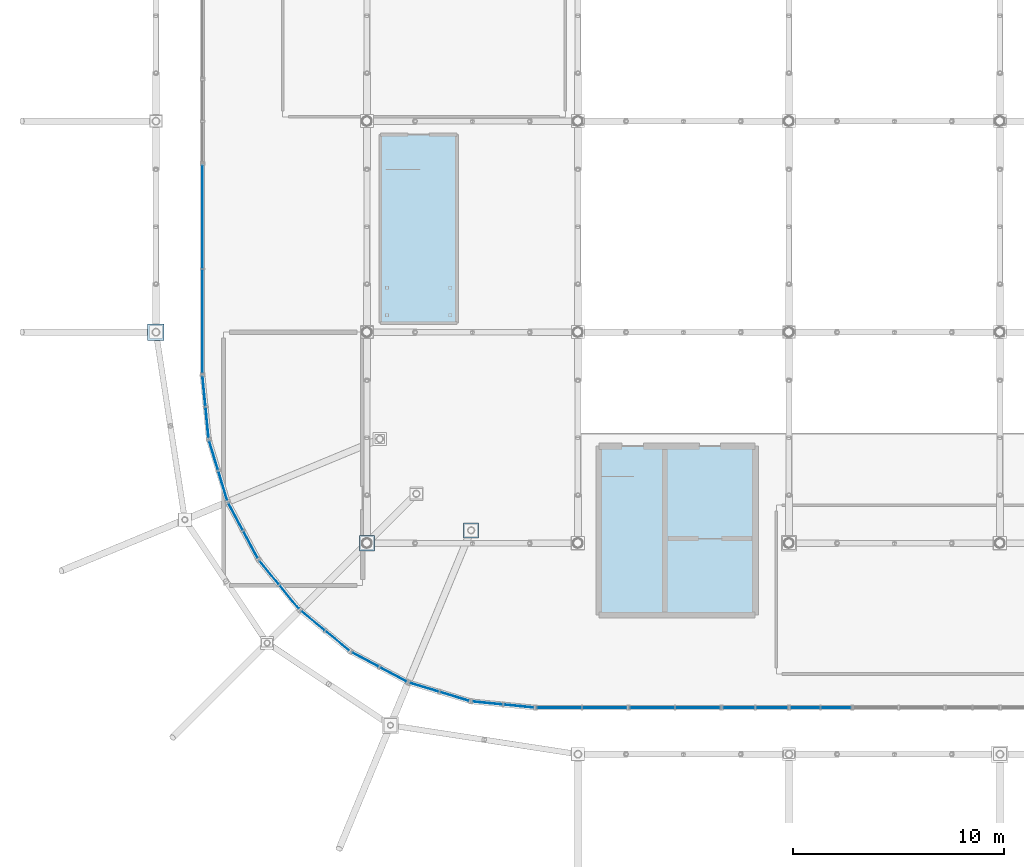
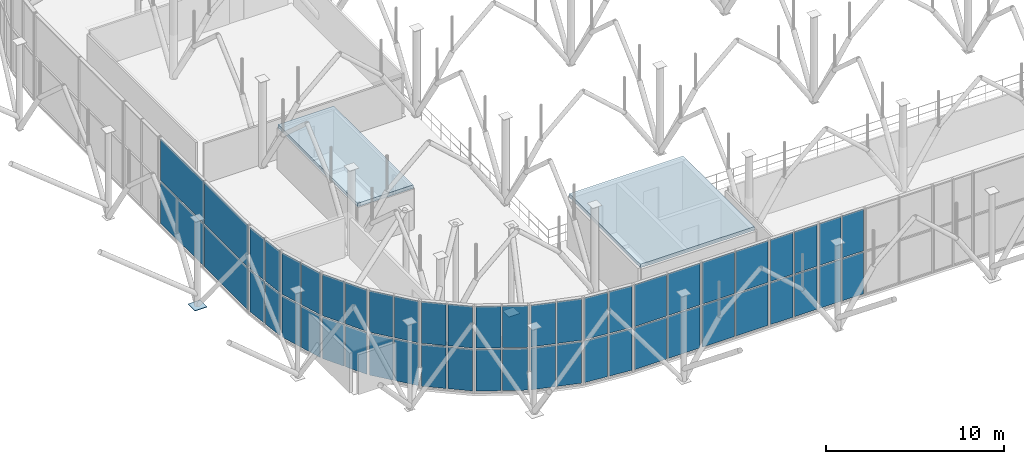
# One storey, part 86 of 109: 55 plates, 2 slabs, 13 elements without a shape of their own.
"""IFC4 building model written with IfcOpenShell, lengths in metres."""

from ifc_helpers import new_model, si_unit, derived_unit, direction, frame, origin, origin_2d_with_axis, place, context, subcontext, project, spatial, polyline, rectangle, outline, extrude, material, layer, layer_set, type_object, element, aggregate, save


model = new_model("IFC4")

# Units and contexts
model_context = context("Model", 3, precision=1e-05, world=origin(), true_north=direction((0.0, 1.0)))
body_context = subcontext(model_context, "Body", "Model", "MODEL_VIEW")
ifc_project = project(units=[si_unit("LENGTHUNIT", "METRE"), si_unit("AREAUNIT", "SQUARE_METRE"), si_unit("VOLUMEUNIT", "CUBIC_METRE"), si_unit("PLANEANGLEUNIT", "RADIAN"), si_unit("MASSUNIT", "GRAM", prefix="KILO"), derived_unit("THERMALTRANSMITTANCEUNIT", [(si_unit("POWERUNIT", "WATT"), 1), (si_unit("LENGTHUNIT", "METRE"), -2), (si_unit("THERMODYNAMICTEMPERATUREUNIT", "KELVIN"), -1)])], contexts=[model_context])

# Site, building, storey
site_placement = place(None, origin())
site = spatial("IfcSite", under=ifc_project, at=site_placement, CompositionType="ELEMENT")
building_placement = place(site_placement, origin())
building = spatial("IfcBuilding", under=site, at=building_placement, Name="Cinnabar Yard Market Hall", CompositionType="ELEMENT")
storey_placement = place(building_placement, frame((0.0, 0.0, 8.39990234375)))
storey = spatial("IfcBuildingStorey", under=building, at=storey_placement, Name="L02", CompositionType="ELEMENT", Elevation=8.39990234375)

# Curtain wall, plates
ifc_material_1 = material(Name="Anodised bronze aluminium and low-E glass", Category="aluminium")
curtain_wall_type_1 = type_object("IfcCurtainWallType", Name="CW-CWH030x60", PredefinedType="NOTDEFINED", material=ifc_material_1)
curtain_wall_1_placement = place(storey_placement, origin())
curtain_wall_1 = element("IfcCurtainWall", 1, at=curtain_wall_1_placement, inside=storey, type_object=curtain_wall_type_1, Name="Market Hall South Upper Clerestory B2A", PredefinedType="NOTDEFINED")
ifc_material_2 = material(Name="Low-E laminated glass", Category="glass")
ifc_layer_1 = layer(ifc_material_2, 0.031982421875)
ifc_layer_set_1 = layer_set([ifc_layer_1], Name="Low-E laminated glass")
plate_type_1 = type_object("IfcPlateType", Name="CWP-GP138x287", PredefinedType="CURTAIN_PANEL", material=ifc_layer_set_1)
plate_1_placement = place(storey_placement, frame((96.77001953125, 16.199951171875, 0.080078125), z_axis=(0.0, 0.0, 1.0), x_axis=(1.0, 0.0, 0.0)))
plate_1 = element("IfcPlate", 2, at=plate_1_placement, type_object=plate_type_1, Name="CWH030x60 panel 1.1", PredefinedType="CURTAIN_PANEL", context=body_context, shape_type="SweptSolid", body=[
    extrude(rectangle(XDim=1.3798828125, YDim=0.031982421875, at=origin_2d_with_axis()), origin(), (0.0, 0.0, 1.0), 2.8701171875),
])
plate_2_placement = place(storey_placement, frame((96.77001953125, 16.199951171875, 3.030029296875), z_axis=(0.0, 0.0, 1.0), x_axis=(1.0, 0.0, 0.0)))
plate_2 = element("IfcPlate", 3, at=plate_2_placement, type_object=plate_type_1, Name="CWH030x60 panel 1.2", PredefinedType="CURTAIN_PANEL", context=body_context, shape_type="SweptSolid", body=[
    extrude(rectangle(XDim=1.3798828125, YDim=0.031982421875, at=origin_2d_with_axis()), origin(), (0.0, 0.0, 1.0), 2.8701171875),
])
plate_3_placement = place(storey_placement, frame((98.22998046875, 16.199951171875, 0.080078125), z_axis=(0.0, 0.0, 1.0), x_axis=(1.0, 0.0, 0.0)))
plate_3 = element("IfcPlate", 4, at=plate_3_placement, type_object=plate_type_1, Name="CWH030x60 panel 2.1", PredefinedType="CURTAIN_PANEL", context=body_context, shape_type="SweptSolid", body=[
    extrude(rectangle(XDim=1.3798828125, YDim=0.031982421875, at=origin_2d_with_axis()), origin(), (0.0, 0.0, 1.0), 2.8701171875),
])
plate_4_placement = place(storey_placement, frame((98.22998046875, 16.199951171875, 3.030029296875), z_axis=(0.0, 0.0, 1.0), x_axis=(1.0, 0.0, 0.0)))
plate_4 = element("IfcPlate", 5, at=plate_4_placement, type_object=plate_type_1, Name="CWH030x60 panel 2.2", PredefinedType="CURTAIN_PANEL", context=body_context, shape_type="SweptSolid", body=[
    extrude(rectangle(XDim=1.3798828125, YDim=0.031982421875, at=origin_2d_with_axis()), origin(), (0.0, 0.0, 1.0), 2.8701171875),
])
aggregate(curtain_wall_1, [plate_1, plate_2, plate_3, plate_4])

ifc_material_3 = material(Name="Anodised bronze aluminium curved-chord facade", Category="aluminium")
curtain_wall_type_2 = type_object("IfcCurtainWallType", Name="CW-CWC031x60", PredefinedType="NOTDEFINED", material=ifc_material_3)
curtain_wall_2_placement = place(storey_placement, origin())
curtain_wall_2 = element("IfcCurtainWall", 6, at=curtain_wall_2_placement, inside=storey, type_object=curtain_wall_type_2, Name="Corner SW Chord 1 L02", PredefinedType="NOTDEFINED")
ifc_layer_2 = layer(ifc_material_2, 0.031982421875)
ifc_layer_set_2 = layer_set([ifc_layer_2], Name="Low-E laminated glass")
plate_type_2 = type_object("IfcPlateType", Name="CWP-GP141x286", PredefinedType="CURTAIN_PANEL", material=ifc_layer_set_2)
plate_5_placement = place(storey_placement, frame((68.278076171875, 31.20703125, 0.090087890625), z_axis=(0.0, 0.0, 1.0), x_axis=(0.098020369342, -0.995184408637, 0.0)))
plate_5 = element("IfcPlate", 7, at=plate_5_placement, type_object=plate_type_2, Name="CWC031x60 panel 1.1", PredefinedType="CURTAIN_PANEL", context=body_context, shape_type="SweptSolid", body=[
    extrude(rectangle(XDim=1.41357421875, YDim=0.031982421875, at=origin_2d_with_axis()), origin(), (0.0, 0.0, 1.0), 2.85498046875),
])
plate_6_placement = place(storey_placement, frame((68.278076171875, 31.20703125, 3.03515625), z_axis=(0.0, 0.0, 1.0), x_axis=(0.098020369342, -0.995184408637, 0.0)))
plate_6 = element("IfcPlate", 8, at=plate_6_placement, type_object=plate_type_2, Name="CWC031x60 panel 1.2", PredefinedType="CURTAIN_PANEL", context=body_context, shape_type="SweptSolid", body=[
    extrude(rectangle(XDim=1.41357421875, YDim=0.031982421875, at=origin_2d_with_axis()), origin(), (0.0, 0.0, 1.0), 2.85498046875),
])
plate_7_placement = place(storey_placement, frame((68.425537109375, 29.710693359375, 0.090087890625), z_axis=(0.0, 0.0, 1.0), x_axis=(0.098020369342, -0.995184408637, 0.0)))
plate_7 = element("IfcPlate", 9, at=plate_7_placement, type_object=plate_type_2, Name="CWC031x60 panel 2.1", PredefinedType="CURTAIN_PANEL", context=body_context, shape_type="SweptSolid", body=[
    extrude(rectangle(XDim=1.41357421875, YDim=0.031982421875, at=origin_2d_with_axis()), origin(), (0.0, 0.0, 1.0), 2.85498046875),
])
plate_8_placement = place(storey_placement, frame((68.425537109375, 29.710693359375, 3.03515625), z_axis=(0.0, 0.0, 1.0), x_axis=(0.098020369342, -0.995184408637, 0.0)))
plate_8 = element("IfcPlate", 10, at=plate_8_placement, type_object=plate_type_2, Name="CWC031x60 panel 2.2", PredefinedType="CURTAIN_PANEL", context=body_context, shape_type="SweptSolid", body=[
    extrude(rectangle(XDim=1.41357421875, YDim=0.031982421875, at=origin_2d_with_axis()), origin(), (0.0, 0.0, 1.0), 2.85498046875),
])
aggregate(curtain_wall_2, [plate_5, plate_6, plate_7, plate_8])

curtain_wall_3_placement = place(storey_placement, origin())
curtain_wall_3 = element("IfcCurtainWall", 11, at=curtain_wall_3_placement, inside=storey, type_object=curtain_wall_type_2, Name="Corner SW Chord 2 L02", PredefinedType="NOTDEFINED")
plate_9_placement = place(storey_placement, frame((68.73486328125, 28.155029296875, 0.090087890625), z_axis=(0.0, 0.0, 1.0), x_axis=(0.290278891325, -0.956942090856, 0.0)))
plate_9 = element("IfcPlate", 12, at=plate_9_placement, type_object=plate_type_2, Name="CWC031x60 panel 1.1", PredefinedType="CURTAIN_PANEL", context=body_context, shape_type="SweptSolid", body=[
    extrude(rectangle(XDim=1.41357421875, YDim=0.031982421875, at=origin_2d_with_axis()), origin(), (0.0, 0.0, 1.0), 2.85498046875),
])
plate_10_placement = place(storey_placement, frame((68.73486328125, 28.155029296875, 3.03515625), z_axis=(0.0, 0.0, 1.0), x_axis=(0.290278891325, -0.956942090856, 0.0)))
plate_10 = element("IfcPlate", 13, at=plate_10_placement, type_object=plate_type_2, Name="CWC031x60 panel 1.2", PredefinedType="CURTAIN_PANEL", context=body_context, shape_type="SweptSolid", body=[
    extrude(rectangle(XDim=1.41357421875, YDim=0.031982421875, at=origin_2d_with_axis()), origin(), (0.0, 0.0, 1.0), 2.85498046875),
])
plate_11_placement = place(storey_placement, frame((69.17138671875, 26.716064453125, 0.090087890625), z_axis=(0.0, 0.0, 1.0), x_axis=(0.290278891325, -0.956942090856, 0.0)))
plate_11 = element("IfcPlate", 14, at=plate_11_placement, type_object=plate_type_2, Name="CWC031x60 panel 2.1", PredefinedType="CURTAIN_PANEL", context=body_context, shape_type="SweptSolid", body=[
    extrude(rectangle(XDim=1.41357421875, YDim=0.031982421875, at=origin_2d_with_axis()), origin(), (0.0, 0.0, 1.0), 2.85498046875),
])
plate_12_placement = place(storey_placement, frame((69.17138671875, 26.716064453125, 3.03515625), z_axis=(0.0, 0.0, 1.0), x_axis=(0.290278891325, -0.956942090856, 0.0)))
plate_12 = element("IfcPlate", 15, at=plate_12_placement, type_object=plate_type_2, Name="CWC031x60 panel 2.2", PredefinedType="CURTAIN_PANEL", context=body_context, shape_type="SweptSolid", body=[
    extrude(rectangle(XDim=1.41357421875, YDim=0.031982421875, at=origin_2d_with_axis()), origin(), (0.0, 0.0, 1.0), 2.85498046875),
])
aggregate(curtain_wall_3, [plate_9, plate_10, plate_11, plate_12])

curtain_wall_4_placement = place(storey_placement, origin())
curtain_wall_4 = element("IfcCurtainWall", 16, at=curtain_wall_4_placement, inside=storey, type_object=curtain_wall_type_2, Name="Corner SW Chord 3 L02", PredefinedType="NOTDEFINED")
plate_13_placement = place(storey_placement, frame((69.7783203125, 25.2509765625, 0.090087890625), z_axis=(0.0, 0.0, 1.0), x_axis=(0.471404114786, -0.881917320707, 0.0)))
plate_13 = element("IfcPlate", 17, at=plate_13_placement, type_object=plate_type_2, Name="CWC031x60 panel 1.1", PredefinedType="CURTAIN_PANEL", context=body_context, shape_type="SweptSolid", body=[
    extrude(rectangle(XDim=1.41357421875, YDim=0.031982421875, at=origin_2d_with_axis()), origin(), (0.0, 0.0, 1.0), 2.85498046875),
])
plate_14_placement = place(storey_placement, frame((69.7783203125, 25.2509765625, 3.03515625), z_axis=(0.0, 0.0, 1.0), x_axis=(0.471404114786, -0.881917320707, 0.0)))
plate_14 = element("IfcPlate", 18, at=plate_14_placement, type_object=plate_type_2, Name="CWC031x60 panel 1.2", PredefinedType="CURTAIN_PANEL", context=body_context, shape_type="SweptSolid", body=[
    extrude(rectangle(XDim=1.41357421875, YDim=0.031982421875, at=origin_2d_with_axis()), origin(), (0.0, 0.0, 1.0), 2.85498046875),
])
plate_15_placement = place(storey_placement, frame((70.487060546875, 23.9248046875, 0.090087890625), z_axis=(0.0, 0.0, 1.0), x_axis=(0.471404114786, -0.881917320707, 0.0)))
plate_15 = element("IfcPlate", 19, at=plate_15_placement, type_object=plate_type_2, Name="CWC031x60 panel 2.1", PredefinedType="CURTAIN_PANEL", context=body_context, shape_type="SweptSolid", body=[
    extrude(rectangle(XDim=1.41357421875, YDim=0.031982421875, at=origin_2d_with_axis()), origin(), (0.0, 0.0, 1.0), 2.85498046875),
])
plate_16_placement = place(storey_placement, frame((70.487060546875, 23.9248046875, 3.03515625), z_axis=(0.0, 0.0, 1.0), x_axis=(0.471404114786, -0.881917320707, 0.0)))
plate_16 = element("IfcPlate", 20, at=plate_16_placement, type_object=plate_type_2, Name="CWC031x60 panel 2.2", PredefinedType="CURTAIN_PANEL", context=body_context, shape_type="SweptSolid", body=[
    extrude(rectangle(XDim=1.41357421875, YDim=0.031982421875, at=origin_2d_with_axis()), origin(), (0.0, 0.0, 1.0), 2.85498046875),
])
aggregate(curtain_wall_4, [plate_13, plate_14, plate_15, plate_16])

curtain_wall_5_placement = place(storey_placement, origin())
curtain_wall_5 = element("IfcCurtainWall", 21, at=curtain_wall_5_placement, inside=storey, type_object=curtain_wall_type_2, Name="Corner SW Chord 4 L02", PredefinedType="NOTDEFINED")
plate_17_placement = place(storey_placement, frame((71.368408203125, 22.60595703125, 0.090087890625), z_axis=(0.0, 0.0, 1.0), x_axis=(0.634383400924, -0.773018564222, 0.0)))
plate_17 = element("IfcPlate", 22, at=plate_17_placement, type_object=plate_type_2, Name="CWC031x60 panel 1.1", PredefinedType="CURTAIN_PANEL", context=body_context, shape_type="SweptSolid", body=[
    extrude(rectangle(XDim=1.41357421875, YDim=0.031982421875, at=origin_2d_with_axis()), origin(), (0.0, 0.0, 1.0), 2.85498046875),
])
plate_18_placement = place(storey_placement, frame((71.368408203125, 22.60595703125, 3.03515625), z_axis=(0.0, 0.0, 1.0), x_axis=(0.634383400924, -0.773018564222, 0.0)))
plate_18 = element("IfcPlate", 23, at=plate_18_placement, type_object=plate_type_2, Name="CWC031x60 panel 1.2", PredefinedType="CURTAIN_PANEL", context=body_context, shape_type="SweptSolid", body=[
    extrude(rectangle(XDim=1.41357421875, YDim=0.031982421875, at=origin_2d_with_axis()), origin(), (0.0, 0.0, 1.0), 2.85498046875),
])
plate_19_placement = place(storey_placement, frame((72.322265625, 21.443603515625, 0.090087890625), z_axis=(0.0, 0.0, 1.0), x_axis=(0.634383400924, -0.773018564222, 0.0)))
plate_19 = element("IfcPlate", 24, at=plate_19_placement, type_object=plate_type_2, Name="CWC031x60 panel 2.1", PredefinedType="CURTAIN_PANEL", context=body_context, shape_type="SweptSolid", body=[
    extrude(rectangle(XDim=1.41357421875, YDim=0.031982421875, at=origin_2d_with_axis()), origin(), (0.0, 0.0, 1.0), 2.85498046875),
])
plate_20_placement = place(storey_placement, frame((72.322265625, 21.443603515625, 3.03515625), z_axis=(0.0, 0.0, 1.0), x_axis=(0.634383400924, -0.773018564222, 0.0)))
plate_20 = element("IfcPlate", 25, at=plate_20_placement, type_object=plate_type_2, Name="CWC031x60 panel 2.2", PredefinedType="CURTAIN_PANEL", context=body_context, shape_type="SweptSolid", body=[
    extrude(rectangle(XDim=1.41357421875, YDim=0.031982421875, at=origin_2d_with_axis()), origin(), (0.0, 0.0, 1.0), 2.85498046875),
])
aggregate(curtain_wall_5, [plate_17, plate_18, plate_19, plate_20])

curtain_wall_6_placement = place(storey_placement, origin())
curtain_wall_6 = element("IfcCurtainWall", 26, at=curtain_wall_6_placement, inside=storey, type_object=curtain_wall_type_2, Name="Corner SW Chord 5 L02", PredefinedType="NOTDEFINED")
plate_21_placement = place(storey_placement, frame((73.443603515625, 20.322265625, 0.090087890625), z_axis=(0.0, 0.0, 1.0), x_axis=(0.773018564222, -0.634383400924, 0.0)))
plate_21 = element("IfcPlate", 27, at=plate_21_placement, type_object=plate_type_2, Name="CWC031x60 panel 1.1", PredefinedType="CURTAIN_PANEL", context=body_context, shape_type="SweptSolid", body=[
    extrude(rectangle(XDim=1.41357421875, YDim=0.031982421875, at=origin_2d_with_axis()), origin(), (0.0, 0.0, 1.0), 2.85498046875),
])
plate_22_placement = place(storey_placement, frame((73.443603515625, 20.322265625, 3.03515625), z_axis=(0.0, 0.0, 1.0), x_axis=(0.773018564222, -0.634383400924, 0.0)))
plate_22 = element("IfcPlate", 28, at=plate_22_placement, type_object=plate_type_2, Name="CWC031x60 panel 1.2", PredefinedType="CURTAIN_PANEL", context=body_context, shape_type="SweptSolid", body=[
    extrude(rectangle(XDim=1.41357421875, YDim=0.031982421875, at=origin_2d_with_axis()), origin(), (0.0, 0.0, 1.0), 2.85498046875),
])
plate_23_placement = place(storey_placement, frame((74.60595703125, 19.368408203125, 0.090087890625), z_axis=(0.0, 0.0, 1.0), x_axis=(0.773018564222, -0.634383400924, 0.0)))
plate_23 = element("IfcPlate", 29, at=plate_23_placement, type_object=plate_type_2, Name="CWC031x60 panel 2.1", PredefinedType="CURTAIN_PANEL", context=body_context, shape_type="SweptSolid", body=[
    extrude(rectangle(XDim=1.41357421875, YDim=0.031982421875, at=origin_2d_with_axis()), origin(), (0.0, 0.0, 1.0), 2.85498046875),
])
plate_24_placement = place(storey_placement, frame((74.60595703125, 19.368408203125, 3.03515625), z_axis=(0.0, 0.0, 1.0), x_axis=(0.773018564222, -0.634383400924, 0.0)))
plate_24 = element("IfcPlate", 30, at=plate_24_placement, type_object=plate_type_2, Name="CWC031x60 panel 2.2", PredefinedType="CURTAIN_PANEL", context=body_context, shape_type="SweptSolid", body=[
    extrude(rectangle(XDim=1.41357421875, YDim=0.031982421875, at=origin_2d_with_axis()), origin(), (0.0, 0.0, 1.0), 2.85498046875),
])
aggregate(curtain_wall_6, [plate_21, plate_22, plate_23, plate_24])

curtain_wall_7_placement = place(storey_placement, origin())
curtain_wall_7 = element("IfcCurtainWall", 31, at=curtain_wall_7_placement, inside=storey, type_object=curtain_wall_type_2, Name="Corner SW Chord 6 L02", PredefinedType="NOTDEFINED")
plate_25_placement = place(storey_placement, frame((75.9248046875, 18.487060546875, 0.090087890625), z_axis=(0.0, 0.0, 1.0), x_axis=(0.881917320707, -0.471404114786, 0.0)))
plate_25 = element("IfcPlate", 32, at=plate_25_placement, type_object=plate_type_2, Name="CWC031x60 panel 1.1", PredefinedType="CURTAIN_PANEL", context=body_context, shape_type="SweptSolid", body=[
    extrude(rectangle(XDim=1.41357421875, YDim=0.031982421875, at=origin_2d_with_axis()), origin(), (0.0, 0.0, 1.0), 2.85498046875),
])
plate_26_placement = place(storey_placement, frame((75.9248046875, 18.487060546875, 3.03515625), z_axis=(0.0, 0.0, 1.0), x_axis=(0.881917320707, -0.471404114786, 0.0)))
plate_26 = element("IfcPlate", 33, at=plate_26_placement, type_object=plate_type_2, Name="CWC031x60 panel 1.2", PredefinedType="CURTAIN_PANEL", context=body_context, shape_type="SweptSolid", body=[
    extrude(rectangle(XDim=1.41357421875, YDim=0.031982421875, at=origin_2d_with_axis()), origin(), (0.0, 0.0, 1.0), 2.85498046875),
])
plate_27_placement = place(storey_placement, frame((77.2509765625, 17.7783203125, 0.090087890625), z_axis=(0.0, 0.0, 1.0), x_axis=(0.881917320707, -0.471404114786, 0.0)))
plate_27 = element("IfcPlate", 34, at=plate_27_placement, type_object=plate_type_2, Name="CWC031x60 panel 2.1", PredefinedType="CURTAIN_PANEL", context=body_context, shape_type="SweptSolid", body=[
    extrude(rectangle(XDim=1.41357421875, YDim=0.031982421875, at=origin_2d_with_axis()), origin(), (0.0, 0.0, 1.0), 2.85498046875),
])
plate_28_placement = place(storey_placement, frame((77.2509765625, 17.7783203125, 3.03515625), z_axis=(0.0, 0.0, 1.0), x_axis=(0.881917320707, -0.471404114786, 0.0)))
plate_28 = element("IfcPlate", 35, at=plate_28_placement, type_object=plate_type_2, Name="CWC031x60 panel 2.2", PredefinedType="CURTAIN_PANEL", context=body_context, shape_type="SweptSolid", body=[
    extrude(rectangle(XDim=1.41357421875, YDim=0.031982421875, at=origin_2d_with_axis()), origin(), (0.0, 0.0, 1.0), 2.85498046875),
])
aggregate(curtain_wall_7, [plate_25, plate_26, plate_27, plate_28])

curtain_wall_8_placement = place(storey_placement, origin())
curtain_wall_8 = element("IfcCurtainWall", 36, at=curtain_wall_8_placement, inside=storey, type_object=curtain_wall_type_2, Name="Corner SW Chord 7 L02", PredefinedType="NOTDEFINED")
plate_29_placement = place(storey_placement, frame((78.716064453125, 17.17138671875, 0.090087890625), z_axis=(0.0, 0.0, 1.0), x_axis=(0.956942090856, -0.290278891325, 0.0)))
plate_29 = element("IfcPlate", 37, at=plate_29_placement, type_object=plate_type_2, Name="CWC031x60 panel 1.1", PredefinedType="CURTAIN_PANEL", context=body_context, shape_type="SweptSolid", body=[
    extrude(rectangle(XDim=1.41357421875, YDim=0.031982421875, at=origin_2d_with_axis()), origin(), (0.0, 0.0, 1.0), 2.85498046875),
])
plate_30_placement = place(storey_placement, frame((78.716064453125, 17.17138671875, 3.03515625), z_axis=(0.0, 0.0, 1.0), x_axis=(0.956942090856, -0.290278891325, 0.0)))
plate_30 = element("IfcPlate", 38, at=plate_30_placement, type_object=plate_type_2, Name="CWC031x60 panel 1.2", PredefinedType="CURTAIN_PANEL", context=body_context, shape_type="SweptSolid", body=[
    extrude(rectangle(XDim=1.41357421875, YDim=0.031982421875, at=origin_2d_with_axis()), origin(), (0.0, 0.0, 1.0), 2.85498046875),
])
plate_31_placement = place(storey_placement, frame((80.155029296875, 16.73486328125, 0.090087890625), z_axis=(0.0, 0.0, 1.0), x_axis=(0.956942090856, -0.290278891325, 0.0)))
plate_31 = element("IfcPlate", 39, at=plate_31_placement, type_object=plate_type_2, Name="CWC031x60 panel 2.1", PredefinedType="CURTAIN_PANEL", context=body_context, shape_type="SweptSolid", body=[
    extrude(rectangle(XDim=1.41357421875, YDim=0.031982421875, at=origin_2d_with_axis()), origin(), (0.0, 0.0, 1.0), 2.85498046875),
])
plate_32_placement = place(storey_placement, frame((80.155029296875, 16.73486328125, 3.03515625), z_axis=(0.0, 0.0, 1.0), x_axis=(0.956942090856, -0.290278891325, 0.0)))
plate_32 = element("IfcPlate", 40, at=plate_32_placement, type_object=plate_type_2, Name="CWC031x60 panel 2.2", PredefinedType="CURTAIN_PANEL", context=body_context, shape_type="SweptSolid", body=[
    extrude(rectangle(XDim=1.41357421875, YDim=0.031982421875, at=origin_2d_with_axis()), origin(), (0.0, 0.0, 1.0), 2.85498046875),
])
aggregate(curtain_wall_8, [plate_29, plate_30, plate_31, plate_32])

curtain_wall_9_placement = place(storey_placement, origin())
curtain_wall_9 = element("IfcCurtainWall", 41, at=curtain_wall_9_placement, inside=storey, type_object=curtain_wall_type_2, Name="Corner SW Chord 8 L02", PredefinedType="NOTDEFINED")
plate_33_placement = place(storey_placement, frame((81.710693359375, 16.425537109375, 0.090087890625), z_axis=(0.0, 0.0, 1.0), x_axis=(0.995184408637, -0.098020369342, 0.0)))
plate_33 = element("IfcPlate", 42, at=plate_33_placement, type_object=plate_type_2, Name="CWC031x60 panel 1.1", PredefinedType="CURTAIN_PANEL", context=body_context, shape_type="SweptSolid", body=[
    extrude(rectangle(XDim=1.41357421875, YDim=0.031982421875, at=origin_2d_with_axis()), origin(), (0.0, 0.0, 1.0), 2.85498046875),
])
plate_34_placement = place(storey_placement, frame((81.710693359375, 16.425537109375, 3.03515625), z_axis=(0.0, 0.0, 1.0), x_axis=(0.995184408637, -0.098020369342, 0.0)))
plate_34 = element("IfcPlate", 43, at=plate_34_placement, type_object=plate_type_2, Name="CWC031x60 panel 1.2", PredefinedType="CURTAIN_PANEL", context=body_context, shape_type="SweptSolid", body=[
    extrude(rectangle(XDim=1.41357421875, YDim=0.031982421875, at=origin_2d_with_axis()), origin(), (0.0, 0.0, 1.0), 2.85498046875),
])
plate_35_placement = place(storey_placement, frame((83.20703125, 16.278076171875, 0.090087890625), z_axis=(0.0, 0.0, 1.0), x_axis=(0.995184408637, -0.098020369342, 0.0)))
plate_35 = element("IfcPlate", 44, at=plate_35_placement, type_object=plate_type_2, Name="CWC031x60 panel 2.1", PredefinedType="CURTAIN_PANEL", context=body_context, shape_type="SweptSolid", body=[
    extrude(rectangle(XDim=1.41357421875, YDim=0.031982421875, at=origin_2d_with_axis()), origin(), (0.0, 0.0, 1.0), 2.85498046875),
])
plate_36_placement = place(storey_placement, frame((83.20703125, 16.278076171875, 3.03515625), z_axis=(0.0, 0.0, 1.0), x_axis=(0.995184408637, -0.098020369342, 0.0)))
plate_36 = element("IfcPlate", 45, at=plate_36_placement, type_object=plate_type_2, Name="CWC031x60 panel 2.2", PredefinedType="CURTAIN_PANEL", context=body_context, shape_type="SweptSolid", body=[
    extrude(rectangle(XDim=1.41357421875, YDim=0.031982421875, at=origin_2d_with_axis()), origin(), (0.0, 0.0, 1.0), 2.85498046875),
])
aggregate(curtain_wall_9, [plate_33, plate_34, plate_35, plate_36])

curtain_wall_type_3 = type_object("IfcCurtainWallType", Name="CW-CWH032x60", PredefinedType="NOTDEFINED", material=ifc_material_1)
curtain_wall_10_placement = place(storey_placement, origin())
curtain_wall_10 = element("IfcCurtainWall", 46, at=curtain_wall_10_placement, inside=storey, type_object=curtain_wall_type_3, Name="Market Hall South Upper Clerestory B1B", PredefinedType="NOTDEFINED")
ifc_layer_3 = layer(ifc_material_2, 0.031982421875)
ifc_layer_set_3 = layer_set([ifc_layer_3], Name="Low-E laminated glass")
plate_type_3 = type_object("IfcPlateType", Name="CWP-GP148x287", PredefinedType="CURTAIN_PANEL", material=ifc_layer_set_3)
plate_37_placement = place(storey_placement, frame((93.6201171875, 16.199951171875, 0.080078125), z_axis=(0.0, 0.0, 1.0), x_axis=(1.0, 0.0, 0.0)))
plate_37 = element("IfcPlate", 47, at=plate_37_placement, type_object=plate_type_3, Name="CWH032x60 panel 1.1", PredefinedType="CURTAIN_PANEL", context=body_context, shape_type="SweptSolid", body=[
    extrude(rectangle(XDim=1.47998046875, YDim=0.031982421875, at=origin_2d_with_axis()), origin(), (0.0, 0.0, 1.0), 2.8701171875),
])
plate_38_placement = place(storey_placement, frame((93.6201171875, 16.199951171875, 3.030029296875), z_axis=(0.0, 0.0, 1.0), x_axis=(1.0, 0.0, 0.0)))
plate_38 = element("IfcPlate", 48, at=plate_38_placement, type_object=plate_type_3, Name="CWH032x60 panel 1.2", PredefinedType="CURTAIN_PANEL", context=body_context, shape_type="SweptSolid", body=[
    extrude(rectangle(XDim=1.47998046875, YDim=0.031982421875, at=origin_2d_with_axis()), origin(), (0.0, 0.0, 1.0), 2.8701171875),
])
plate_39_placement = place(storey_placement, frame((95.179931640625, 16.199951171875, 0.080078125), z_axis=(0.0, 0.0, 1.0), x_axis=(1.0, 0.0, 0.0)))
plate_39 = element("IfcPlate", 49, at=plate_39_placement, type_object=plate_type_3, Name="CWH032x60 panel 2.1", PredefinedType="CURTAIN_PANEL", context=body_context, shape_type="SweptSolid", body=[
    extrude(rectangle(XDim=1.47998046875, YDim=0.031982421875, at=origin_2d_with_axis()), origin(), (0.0, 0.0, 1.0), 2.8701171875),
])
plate_40_placement = place(storey_placement, frame((95.179931640625, 16.199951171875, 3.030029296875), z_axis=(0.0, 0.0, 1.0), x_axis=(1.0, 0.0, 0.0)))
plate_40 = element("IfcPlate", 50, at=plate_40_placement, type_object=plate_type_3, Name="CWH032x60 panel 2.2", PredefinedType="CURTAIN_PANEL", context=body_context, shape_type="SweptSolid", body=[
    extrude(rectangle(XDim=1.47998046875, YDim=0.031982421875, at=origin_2d_with_axis()), origin(), (0.0, 0.0, 1.0), 2.8701171875),
])
aggregate(curtain_wall_10, [plate_37, plate_38, plate_39, plate_40])

curtain_wall_type_4 = type_object("IfcCurtainWallType", Name="CW-CWH044x60", PredefinedType="NOTDEFINED", material=ifc_material_1)
curtain_wall_11_placement = place(storey_placement, origin())
curtain_wall_11 = element("IfcCurtainWall", 51, at=curtain_wall_11_placement, inside=storey, type_object=curtain_wall_type_4, Name="Market Hall South Upper Clerestory B1A", PredefinedType="NOTDEFINED")
ifc_layer_4 = layer(ifc_material_2, 0.031982421875)
ifc_layer_set_4 = layer_set([ifc_layer_4], Name="Low-E laminated glass")
plate_type_4 = type_object("IfcPlateType", Name="CWP-GP208x287", PredefinedType="CURTAIN_PANEL", material=ifc_layer_set_4)
plate_41_placement = place(storey_placement, frame((85.1201171875, 16.199951171875, 0.080078125), z_axis=(0.0, 0.0, 1.0), x_axis=(1.0, 0.0, 0.0)))
plate_41 = element("IfcPlate", 52, at=plate_41_placement, type_object=plate_type_4, Name="CWH044x60 panel 1.1", PredefinedType="CURTAIN_PANEL", context=body_context, shape_type="SweptSolid", body=[
    extrude(rectangle(XDim=2.080078125, YDim=0.031982421875, at=origin_2d_with_axis()), origin(), (0.0, 0.0, 1.0), 2.8701171875),
])
plate_42_placement = place(storey_placement, frame((85.1201171875, 16.199951171875, 3.030029296875), z_axis=(0.0, 0.0, 1.0), x_axis=(1.0, 0.0, 0.0)))
plate_42 = element("IfcPlate", 53, at=plate_42_placement, type_object=plate_type_4, Name="CWH044x60 panel 1.2", PredefinedType="CURTAIN_PANEL", context=body_context, shape_type="SweptSolid", body=[
    extrude(rectangle(XDim=2.080078125, YDim=0.031982421875, at=origin_2d_with_axis()), origin(), (0.0, 0.0, 1.0), 2.8701171875),
])
plate_43_placement = place(storey_placement, frame((87.280029296875, 16.199951171875, 0.080078125), z_axis=(0.0, 0.0, 1.0), x_axis=(1.0, 0.0, 0.0)))
plate_43 = element("IfcPlate", 54, at=plate_43_placement, type_object=plate_type_4, Name="CWH044x60 panel 2.1", PredefinedType="CURTAIN_PANEL", context=body_context, shape_type="SweptSolid", body=[
    extrude(rectangle(XDim=2.080078125, YDim=0.031982421875, at=origin_2d_with_axis()), origin(), (0.0, 0.0, 1.0), 2.8701171875),
])
plate_44_placement = place(storey_placement, frame((87.280029296875, 16.199951171875, 3.030029296875), z_axis=(0.0, 0.0, 1.0), x_axis=(1.0, 0.0, 0.0)))
plate_44 = element("IfcPlate", 55, at=plate_44_placement, type_object=plate_type_4, Name="CWH044x60 panel 2.2", PredefinedType="CURTAIN_PANEL", context=body_context, shape_type="SweptSolid", body=[
    extrude(rectangle(XDim=2.080078125, YDim=0.031982421875, at=origin_2d_with_axis()), origin(), (0.0, 0.0, 1.0), 2.8701171875),
])
aggregate(curtain_wall_11, [plate_41, plate_42, plate_43, plate_44])

curtain_wall_12_placement = place(storey_placement, origin())
curtain_wall_12 = element("IfcCurtainWall", 56, at=curtain_wall_12_placement, inside=storey, type_object=curtain_wall_type_4, Name="Market Hall South Upper Clerestory PTW", PredefinedType="NOTDEFINED")
plate_45_placement = place(storey_placement, frame((89.52001953125, 16.199951171875, 0.080078125), z_axis=(0.0, 0.0, 1.0), x_axis=(1.0, 0.0, 0.0)))
plate_45 = element("IfcPlate", 57, at=plate_45_placement, type_object=plate_type_4, Name="CWH044x60 panel 1.1", PredefinedType="CURTAIN_PANEL", context=body_context, shape_type="SweptSolid", body=[
    extrude(rectangle(XDim=2.080078125, YDim=0.031982421875, at=origin_2d_with_axis()), origin(), (0.0, 0.0, 1.0), 2.8701171875),
])
plate_46_placement = place(storey_placement, frame((89.52001953125, 16.199951171875, 3.030029296875), z_axis=(0.0, 0.0, 1.0), x_axis=(1.0, 0.0, 0.0)))
plate_46 = element("IfcPlate", 58, at=plate_46_placement, type_object=plate_type_4, Name="CWH044x60 panel 1.2", PredefinedType="CURTAIN_PANEL", context=body_context, shape_type="SweptSolid", body=[
    extrude(rectangle(XDim=2.080078125, YDim=0.031982421875, at=origin_2d_with_axis()), origin(), (0.0, 0.0, 1.0), 2.8701171875),
])
plate_47_placement = place(storey_placement, frame((91.679931640625, 16.199951171875, 0.080078125), z_axis=(0.0, 0.0, 1.0), x_axis=(1.0, 0.0, 0.0)))
plate_47 = element("IfcPlate", 59, at=plate_47_placement, type_object=plate_type_4, Name="CWH044x60 panel 2.1", PredefinedType="CURTAIN_PANEL", context=body_context, shape_type="SweptSolid", body=[
    extrude(rectangle(XDim=2.080078125, YDim=0.031982421875, at=origin_2d_with_axis()), origin(), (0.0, 0.0, 1.0), 2.8701171875),
])
plate_48_placement = place(storey_placement, frame((91.679931640625, 16.199951171875, 3.030029296875), z_axis=(0.0, 0.0, 1.0), x_axis=(1.0, 0.0, 0.0)))
plate_48 = element("IfcPlate", 60, at=plate_48_placement, type_object=plate_type_4, Name="CWH044x60 panel 2.2", PredefinedType="CURTAIN_PANEL", context=body_context, shape_type="SweptSolid", body=[
    extrude(rectangle(XDim=2.080078125, YDim=0.031982421875, at=origin_2d_with_axis()), origin(), (0.0, 0.0, 1.0), 2.8701171875),
])
aggregate(curtain_wall_12, [plate_45, plate_46, plate_47, plate_48])

curtain_wall_type_5 = type_object("IfcCurtainWallType", Name="CW-CWH100x60", PredefinedType="NOTDEFINED", material=ifc_material_1)
curtain_wall_13_placement = place(storey_placement, origin())
curtain_wall_13 = element("IfcCurtainWall", 61, at=curtain_wall_13_placement, inside=storey, type_object=curtain_wall_type_5, Name="Market Hall West Upper Clerestory W1", PredefinedType="NOTDEFINED")
ifc_layer_5 = layer(ifc_material_2, 0.031982421875)
ifc_layer_set_5 = layer_set([ifc_layer_5], Name="Low-E laminated glass")
plate_type_5 = type_object("IfcPlateType", Name="CWP-GP488x287", PredefinedType="CURTAIN_PANEL", material=ifc_layer_set_5)
plate_49_placement = place(storey_placement, frame((68.199951171875, 39.47998046875, 0.080078125), z_axis=(0.0, 0.0, 1.0), x_axis=(0.0, -1.0, 0.0)))
plate_49 = element("IfcPlate", 62, at=plate_49_placement, type_object=plate_type_5, Name="CWH100x60 panel 1.1", PredefinedType="CURTAIN_PANEL", context=body_context, shape_type="SweptSolid", body=[
    extrude(rectangle(XDim=4.8798828125, YDim=0.031982421875, at=origin_2d_with_axis()), origin(), (0.0, 0.0, 1.0), 2.8701171875),
])
plate_50_placement = place(storey_placement, frame((68.199951171875, 39.47998046875, 3.030029296875), z_axis=(0.0, 0.0, 1.0), x_axis=(0.0, -1.0, 0.0)))
plate_50 = element("IfcPlate", 63, at=plate_50_placement, type_object=plate_type_5, Name="CWH100x60 panel 1.2", PredefinedType="CURTAIN_PANEL", context=body_context, shape_type="SweptSolid", body=[
    extrude(rectangle(XDim=4.8798828125, YDim=0.031982421875, at=origin_2d_with_axis()), origin(), (0.0, 0.0, 1.0), 2.8701171875),
])
plate_51_placement = place(storey_placement, frame((68.199951171875, 34.52001953125, 0.080078125), z_axis=(0.0, 0.0, 1.0), x_axis=(0.0, -1.0, 0.0)))
plate_51 = element("IfcPlate", 64, at=plate_51_placement, type_object=plate_type_5, Name="CWH100x60 panel 2.1", PredefinedType="CURTAIN_PANEL", context=body_context, shape_type="SweptSolid", body=[
    extrude(rectangle(XDim=4.8798828125, YDim=0.031982421875, at=origin_2d_with_axis()), origin(), (0.0, 0.0, 1.0), 2.8701171875),
])
plate_52_placement = place(storey_placement, frame((68.199951171875, 34.52001953125, 3.030029296875), z_axis=(0.0, 0.0, 1.0), x_axis=(0.0, -1.0, 0.0)))
plate_52 = element("IfcPlate", 65, at=plate_52_placement, type_object=plate_type_5, Name="CWH100x60 panel 2.2", PredefinedType="CURTAIN_PANEL", context=body_context, shape_type="SweptSolid", body=[
    extrude(rectangle(XDim=4.8798828125, YDim=0.031982421875, at=origin_2d_with_axis()), origin(), (0.0, 0.0, 1.0), 2.8701171875),
])
aggregate(curtain_wall_13, [plate_49, plate_50, plate_51, plate_52])

# Plates
ifc_material_4 = material(Name="Steel Grade 350 (350 MPa)", Category="steel")
ifc_layer_6 = layer(ifc_material_4, 0.028076171875)
ifc_layer_set_6 = layer_set([ifc_layer_6], Name="Steel Grade 350 (350 MPa)")
plate_type_6 = type_object("IfcPlateType", Name="PL-NP01", PredefinedType="SHEET", material=ifc_layer_set_6)
for number, where, z_axis, x_axis, name in (
    (66, (76.0, 24.0, -0.01416015625), (0.0, 0.0, 1.0), (1.0, 0.0, 0.0), "Tree Collar Plate V1I-01-01"),
    (67, (80.9384765625, 24.60888671875, -0.01416015625), (0.0, 0.0, 1.0), (1.0, 0.0, 0.0), "Tree Collar Plate V1IC-SW6"),
):
    element("IfcPlate", number, at=place(storey_placement, frame(where, z_axis=z_axis, x_axis=x_axis)), inside=storey, type_object=plate_type_6, Name=name, PredefinedType="SHEET", context=body_context, shape_type="SweptSolid", body=[
        extrude(rectangle(XDim=0.719970703125, YDim=0.719970703125, at=origin_2d_with_axis()), origin(), (0.0, 0.0, 1.0), 0.028076171875),
    ])
ifc_layer_7 = layer(ifc_material_4, 0.031982421875)
ifc_layer_set_7 = layer_set([ifc_layer_7], Name="Steel Grade 350 (350 MPa)")
plate_type_7 = type_object("IfcPlateType", Name="PL-NP10E", PredefinedType="SHEET", material=ifc_layer_set_7)
plate_53_placement = place(storey_placement, frame((66.0, 34.0, -0.01611328125), z_axis=(0.0, 0.0, 1.0), x_axis=(1.0, 0.0, 0.0)))
element("IfcPlate", 68, at=plate_53_placement, inside=storey, type_object=plate_type_7, Name="Tree Collar Plate V1W-01", PredefinedType="SHEET", context=body_context, shape_type="SweptSolid", body=[
    extrude(rectangle(XDim=0.780029296875, YDim=0.780029296875, at=origin_2d_with_axis()), origin(), (0.0, 0.0, 1.0), 0.031982421875),
])

# Slabs
ifc_material_5 = material(Name="Concrete 40 MPa", Category="concrete")
ifc_layer_8 = layer(ifc_material_5, 0.239990234375)
ifc_layer_set_8 = layer_set([ifc_layer_8], Name="Concrete 40 MPa")
slab_type = type_object("IfcSlabType", Name="SL-L03", PredefinedType="FLOOR", material=ifc_layer_set_8)
slab_1_placement = place(storey_placement, frame((0.0, 0.0, 3.360107421875)))
element("IfcSlab", 69, at=slab_1_placement, inside=storey, type_object=slab_type, Name="Core C1 Shaft Cap Slab", PredefinedType="FLOOR", context=body_context, shape_type="SweptSolid", body=[
    extrude(outline(polyline([(87.0, 20.60009765625), (94.39990234375, 20.60009765625), (94.39990234375, 28.60009765625), (87.0, 28.60009765625), (87.0, 20.60009765625)])), origin(), (0.0, 0.0, 1.0), 0.239990234375),
])
slab_2_placement = place(storey_placement, frame((0.0, 0.0, 2.780029296875)))
element("IfcSlab", 70, at=slab_2_placement, inside=storey, type_object=slab_type, Name="Stair ST-F1 Shaft Cap Slab", PredefinedType="FLOOR", context=body_context, shape_type="SweptSolid", body=[
    extrude(outline(polyline([(76.639892578125, 34.43994140625), (80.260009765625, 34.43994140625), (80.260009765625, 43.360107421875), (76.639892578125, 43.360107421875), (76.639892578125, 34.43994140625)])), origin(), (0.0, 0.0, 1.0), 0.239990234375),
])

save(model, "model.ifc")
